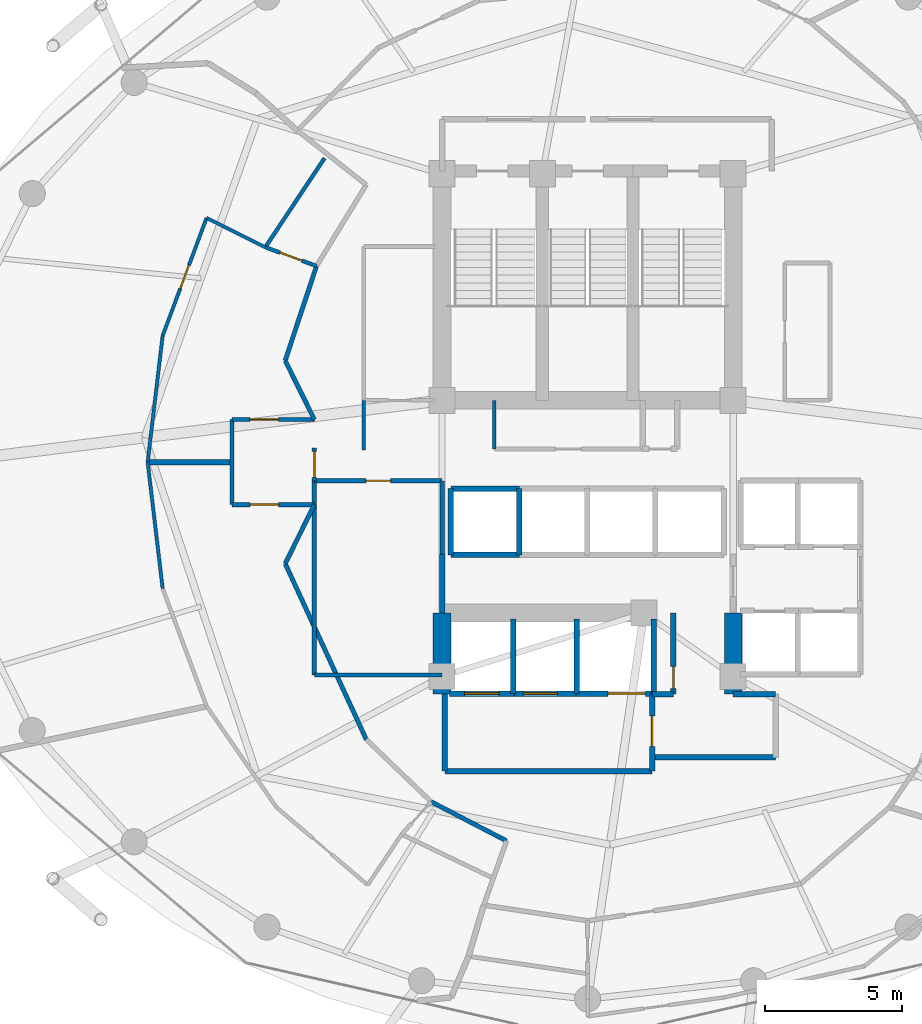
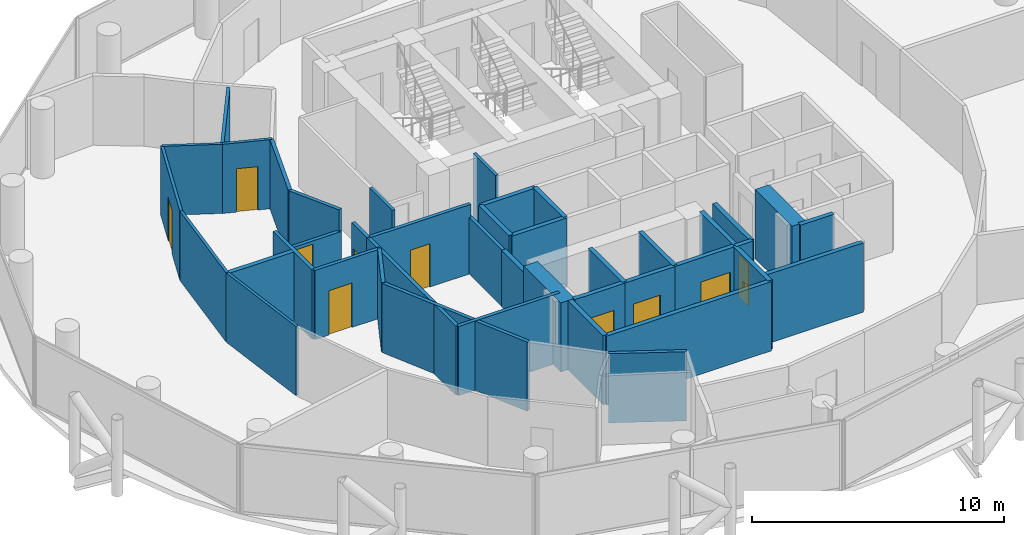
# One storey, part 22 of 26: 42 walls, 11 doors, 11 openings.
"""IFC4 building model written with IfcOpenShell, lengths in metres."""

from ifc_helpers import new_model, si_unit, direction, frame, frame_2d, origin, place, context, subcontext, project, spatial, rectangle, extrude, material, layer, layer_set, type_object, element, fill, save


model = new_model("IFC4")

# Units and contexts
model_context = context("Model", 3, precision=1e-05, world=origin(), true_north=direction((0.0, 1.0)))
body_context = subcontext(model_context, "Body", "Model", "MODEL_VIEW")
ifc_project = project(units=[si_unit("LENGTHUNIT", "METRE"), si_unit("AREAUNIT", "SQUARE_METRE"), si_unit("VOLUMEUNIT", "CUBIC_METRE"), si_unit("PLANEANGLEUNIT", "RADIAN"), si_unit("MASSUNIT", "GRAM", prefix="KILO")], contexts=[model_context])

# Site, building, storey
site_placement = place(None, origin())
site = spatial("IfcSite", under=ifc_project, at=site_placement, CompositionType="ELEMENT")
building_placement = place(site_placement, origin())
building = spatial("IfcBuilding", under=site, at=building_placement, Name="Nuhasar Tower", CompositionType="ELEMENT")
storey_placement = place(building_placement, frame((0.0, 0.0, 192.25)))
storey = spatial("IfcBuildingStorey", under=building, at=storey_placement, Name="L47", CompositionType="ELEMENT", Elevation=192.25)

# Walls
ifc_material_1 = material(Name="Concrete C65/80", Category="concrete")
ifc_layer_1 = layer(ifc_material_1, 0.64990234375)
ifc_layer_set_1 = layer_set([ifc_layer_1], Name="Concrete C65/80")
wall_type_1 = type_object("IfcWallType", Name="WL-CORE-650", PredefinedType="SHEAR", material=ifc_layer_set_1)
for number, where, z_axis, x_axis, name in (
    (1, (33.699951171875, 18.35009765625, 0.0), (0.0, 0.0, 1.0), (0.0, 1.0, 0.0), "L47 Core Shear Wall CW-SW CW-650"),
    (2, (44.300048828125, 18.35009765625, 0.0), (0.0, 0.0, 1.0), (0.0, 1.0, 0.0), "L47 Core Shear Wall CW-SE CW-650"),
):
    element("IfcWall", number, at=place(storey_placement, frame(where, z_axis=z_axis, x_axis=x_axis)), inside=storey, type_object=wall_type_1, Name=name, PredefinedType="SHEAR", context=body_context, shape_type="SweptSolid", body=[
        extrude(rectangle(XDim=2.949951171875, YDim=0.64990234375, at=frame_2d((1.47509765625, 0.0))), origin(), (0.0, 0.0, 1.0), 3.35009765625),
    ])
ifc_material_2 = material(Name="Gypsum Board", Category="gypsum")
ifc_layer_2 = layer(ifc_material_2, 0.159912109375)
ifc_layer_set_2 = layer_set([ifc_layer_2], Name="Gypsum Board")
wall_type_2 = type_object("IfcWallType", Name="WL-CORR-160", PredefinedType="PARTITIONING", material=ifc_layer_set_2)
wall_1_placement = place(storey_placement, frame((29.050048828125, 19.050048828125, 0.0), z_axis=(0.0, 0.0, 1.0), x_axis=(1.0, 0.0, 0.0)))
element("IfcWall", 3, at=wall_1_placement, inside=storey, type_object=wall_type_2, Name="L47 Interior Partition RECL-B1-S", PredefinedType="PARTITIONING", context=body_context, shape_type="SweptSolid", body=[
    extrude(rectangle(XDim=4.64990234375, YDim=0.159912109375, at=frame_2d((2.324951171875, 0.0))), origin(), (0.0, 0.0, 1.0), 3.35009765625),
])
wall_2_placement = place(storey_placement, frame((29.050048828125, 19.050048828125, 0.0), z_axis=(0.0, 0.0, 1.0), x_axis=(0.0, 1.0, 0.0)))
element("IfcWall", 4, at=wall_2_placement, inside=storey, type_object=wall_type_2, Name="L47 Interior Partition RECL-B1-W", PredefinedType="PARTITIONING", context=body_context, shape_type="SweptSolid", body=[
    extrude(rectangle(XDim=7.070068359375, YDim=0.159912109375, at=frame_2d((3.53515625, 0.0))), origin(), (0.0, 0.0, 1.0), 3.35009765625),
])
wall_3_placement = place(storey_placement, frame((33.699951171875, 23.449951171875, 0.0), z_axis=(0.0, 0.0, 1.0), x_axis=(0.0, 1.0, 0.0)))
element("IfcWall", 5, at=wall_3_placement, inside=storey, type_object=wall_type_2, Name="L47 Interior Partition RECL-B1-E", PredefinedType="PARTITIONING", context=body_context, shape_type="SweptSolid", body=[
    extrude(rectangle(XDim=2.670166015625, YDim=0.159912109375, at=frame_2d((1.3349609375, 0.0))), origin(), (0.0, 0.0, 1.0), 2.735107421875),
])

# Wall, opening, door
wall_4_placement = place(storey_placement, frame((33.699951171875, 26.1201171875, 0.0), z_axis=(0.0, 0.0, 1.0), x_axis=(-1.0, 0.0, 0.0)))
wall_4 = element("IfcWall", 6, at=wall_4_placement, inside=storey, type_object=wall_type_2, Name="L47 Interior Partition RECL-B1-N", PredefinedType="PARTITIONING", context=body_context, shape_type="SweptSolid", body=[
    extrude(rectangle(XDim=4.64990234375, YDim=0.159912109375, at=frame_2d((2.324951171875, 0.0))), origin(), (0.0, 0.0, 1.0), 3.35009765625),
])
opening_1_placement = place(wall_4_placement, frame((1.875, 0.0, 0.0)))
opening_1 = element("IfcOpeningElement", 7, at=opening_1_placement, cuts=wall_4, Name="Opening DR-01", PredefinedType="OPENING", context=body_context, shape_type="SweptSolid", body=[
    extrude(rectangle(XDim=0.89990234375, YDim=2.10009765625, at=frame_2d((0.449951171875, 1.050048828125))), frame((0.0, 0.08984375, 0.0), z_axis=(0.0, -1.0, 0.0), x_axis=(1.0, 0.0, 0.0)), (0.0, 0.0, 1.0), 0.179931640625),
])
ifc_material_3 = material(Name="Timber Oak", Category="wood")
door_type_1 = type_object("IfcDoorType", Name="DR-ROOM-900", OperationType="NOTDEFINED", PredefinedType="DOOR", material=ifc_material_3)
door_1_placement = place(opening_1_placement, origin())
door_1 = element("IfcDoor", 8, at=door_1_placement, inside=storey, type_object=door_type_1, Name="L47 Butler Store Door", OperationType="SINGLE_SWING_RIGHT", OverallHeight=2.10009765625, OverallWidth=0.89990234375, PredefinedType="DOOR", context=body_context, shape_type="SweptSolid", body=[
    extrude(rectangle(XDim=0.89990234375, YDim=2.10009765625, at=frame_2d((0.449951171875, 1.050048828125))), frame((0.0, 0.02490234375, 0.0), z_axis=(0.0, -1.0, 0.0), x_axis=(1.0, 0.0, 0.0)), (0.0, 0.0, 1.0), 0.050048828125),
])
fill(opening_1, door_1)

wall_5_placement = place(storey_placement, frame((29.050048828125, 26.1201171875, 0.0), z_axis=(0.0, 0.0, 1.0), x_axis=(0.0, 1.0, 0.0)))
wall_5 = element("IfcWall", 9, at=wall_5_placement, inside=storey, type_object=wall_type_2, Name="L47 Interior Partition WVEST-E", PredefinedType="PARTITIONING", context=body_context, shape_type="SweptSolid", body=[
    extrude(rectangle(XDim=1.199951171875, YDim=0.159912109375, at=frame_2d((0.60009765625, 0.0))), origin(), (0.0, 0.0, 1.0), 3.35009765625),
])
opening_2_placement = place(wall_5_placement, frame((0.125, 0.0, 0.0)))
opening_2 = element("IfcOpeningElement", 10, at=opening_2_placement, cuts=wall_5, Name="Opening DO-01", PredefinedType="OPENING", context=body_context, shape_type="SweptSolid", body=[
    extrude(rectangle(XDim=0.949951171875, YDim=2.14990234375, at=frame_2d((0.47509765625, 1.074951171875))), frame((0.0, 0.08984375, 0.0), z_axis=(0.0, -1.0, 0.0), x_axis=(1.0, 0.0, 0.0)), (0.0, 0.0, 1.0), 0.179931640625),
])
door_type_2 = type_object("IfcDoorType", Name="DR-OFFICE-FD30-950", OperationType="NOTDEFINED", PredefinedType="DOOR", material=ifc_material_3)
door_2_placement = place(opening_2_placement, origin())
door_2 = element("IfcDoor", 11, at=door_2_placement, inside=storey, type_object=door_type_2, Name="L47 West Arrival Foyer Core Door", OperationType="SINGLE_SWING_RIGHT", OverallHeight=2.14990234375, OverallWidth=0.949951171875, PredefinedType="DOOR", context=body_context, shape_type="SweptSolid", body=[
    extrude(rectangle(XDim=0.949951171875, YDim=2.14990234375, at=frame_2d((0.47509765625, 1.074951171875))), frame((0.0, 0.02490234375, 0.0), z_axis=(0.0, -1.0, 0.0), x_axis=(1.0, 0.0, 0.0)), (0.0, 0.0, 1.0), 0.050048828125),
])
fill(opening_2, door_2)

# Walls
wall_6_placement = place(storey_placement, frame((29.126953125, 33.93994140625, 0.0), z_axis=(0.0, 0.0, 1.0), x_axis=(-0.313985571683, -0.949427754374, 0.0)))
element("IfcWall", 12, at=wall_6_placement, inside=storey, type_object=wall_type_2, Name="L47 Interior Partition HWEST-CORE-N-20", PredefinedType="PARTITIONING", context=body_context, shape_type="SweptSolid", body=[
    extrude(rectangle(XDim=3.627197265625, YDim=0.159912109375, at=frame_2d((1.8134765625, 0.0))), origin(), (0.0, 0.0, 1.0), 3.35009765625),
])
wall_7_placement = place(storey_placement, frame((27.988037109375, 23.10400390625, 0.0), z_axis=(0.0, 0.0, 1.0), x_axis=(0.418656179426, -0.908144814128, 0.0)))
element("IfcWall", 13, at=wall_7_placement, inside=storey, type_object=wall_type_2, Name="L47 Interior Partition HWEST-CORE-S1-26", PredefinedType="PARTITIONING", context=body_context, shape_type="SweptSolid", body=[
    extrude(rectangle(XDim=7.048583984375, YDim=0.159912109375, at=frame_2d((3.5244140625, 0.0))), origin(), (0.0, 0.0, 1.0), 3.35009765625),
])
wall_8_placement = place(storey_placement, frame((33.300048828125, 14.43310546875, 0.0), z_axis=(0.0, 0.0, 1.0), x_axis=(0.887674575788, -0.460471331898, 0.0)))
element("IfcWall", 14, at=wall_8_placement, inside=storey, type_object=wall_type_2, Name="L47 Interior Partition HWEST-CORE-S2-32", PredefinedType="PARTITIONING", context=body_context, shape_type="SweptSolid", body=[
    extrude(rectangle(XDim=3.096923828125, YDim=0.159912109375, at=frame_2d((1.54833984375, 0.0))), origin(), (0.0, 0.0, 1.0), 3.35009765625),
])

# Wall, opening, door
wall_9_placement = place(storey_placement, frame((26.050048828125, 28.35009765625, 0.0), z_axis=(0.0, 0.0, 1.0), x_axis=(1.0, 0.0, 0.0)))
wall_9 = element("IfcWall", 15, at=wall_9_placement, inside=storey, type_object=wall_type_2, Name="L47 Interior Partition WVEST-N", PredefinedType="PARTITIONING", context=body_context, shape_type="SweptSolid", body=[
    extrude(rectangle(XDim=3.0, YDim=0.159912109375, at=frame_2d((1.5, 0.0))), origin(), (0.0, 0.0, 1.0), 2.31005859375),
])
opening_3_placement = place(wall_9_placement, frame((0.64990234375, 0.0, 0.0)))
opening_3 = element("IfcOpeningElement", 16, at=opening_3_placement, cuts=wall_9, Name="Opening DU-01", PredefinedType="OPENING", context=body_context, shape_type="SweptSolid", body=[
    extrude(rectangle(XDim=1.050048828125, YDim=2.14990234375, at=frame_2d((0.52490234375, 1.074951171875))), frame((0.0, 0.08984375, 0.0), z_axis=(0.0, -1.0, 0.0), x_axis=(1.0, 0.0, 0.0)), (0.0, 0.0, 1.0), 0.179931640625),
])
door_type_3 = type_object("IfcDoorType", Name="DR-SUITE-FD60-1050", OperationType="NOTDEFINED", PredefinedType="DOOR", material=ifc_material_3)
door_3_placement = place(opening_3_placement, origin())
door_3 = element("IfcDoor", 17, at=door_3_placement, inside=storey, type_object=door_type_3, Name="L47 North-West Sunset Suite Entrance", OperationType="SINGLE_SWING_LEFT", OverallHeight=2.14990234375, OverallWidth=1.050048828125, PredefinedType="DOOR", context=body_context, shape_type="SweptSolid", body=[
    extrude(rectangle(XDim=1.050048828125, YDim=2.14990234375, at=frame_2d((0.52490234375, 1.074951171875))), frame((0.0, 0.02490234375, 0.0), z_axis=(0.0, -1.0, 0.0), x_axis=(1.0, 0.0, 0.0)), (0.0, 0.0, 1.0), 0.050048828125),
])
fill(opening_3, door_3)

wall_10_placement = place(storey_placement, frame((26.050048828125, 25.25, 0.0), z_axis=(0.0, 0.0, 1.0), x_axis=(1.0, 0.0, 0.0)))
wall_10 = element("IfcWall", 18, at=wall_10_placement, inside=storey, type_object=wall_type_2, Name="L47 Interior Partition WVEST-S", PredefinedType="PARTITIONING", context=body_context, shape_type="SweptSolid", body=[
    extrude(rectangle(XDim=3.0, YDim=0.159912109375, at=frame_2d((1.5, 0.0))), origin(), (0.0, 0.0, 1.0), 3.35009765625),
])
opening_4_placement = place(wall_10_placement, frame((0.64990234375, 0.0, 0.0)))
opening_4 = element("IfcOpeningElement", 19, at=opening_4_placement, cuts=wall_10, Name="Opening DU-01", PredefinedType="OPENING", context=body_context, shape_type="SweptSolid", body=[
    extrude(rectangle(XDim=1.050048828125, YDim=2.14990234375, at=frame_2d((0.52490234375, 1.074951171875))), frame((0.0, 0.08984375, 0.0), z_axis=(0.0, -1.0, 0.0), x_axis=(1.0, 0.0, 0.0)), (0.0, 0.0, 1.0), 0.179931640625),
])
door_4_placement = place(opening_4_placement, origin())
door_4 = element("IfcDoor", 20, at=door_4_placement, inside=storey, type_object=door_type_3, Name="L47 South-West Presidential Suite Entrance", OperationType="SINGLE_SWING_LEFT", OverallHeight=2.14990234375, OverallWidth=1.050048828125, PredefinedType="DOOR", context=body_context, shape_type="SweptSolid", body=[
    extrude(rectangle(XDim=1.050048828125, YDim=2.14990234375, at=frame_2d((0.52490234375, 1.074951171875))), frame((0.0, 0.02490234375, 0.0), z_axis=(0.0, -1.0, 0.0), x_axis=(1.0, 0.0, 0.0)), (0.0, 0.0, 1.0), 0.050048828125),
])
fill(opening_4, door_4)

# Walls
wall_11_placement = place(storey_placement, frame((26.050048828125, 25.25, 0.0), z_axis=(0.0, 0.0, 1.0), x_axis=(0.0, 1.0, 0.0)))
element("IfcWall", 21, at=wall_11_placement, inside=storey, type_object=wall_type_2, Name="L47 Interior Partition WVEST-W", PredefinedType="PARTITIONING", context=body_context, shape_type="SweptSolid", body=[
    extrude(rectangle(XDim=3.10009765625, YDim=0.159912109375, at=frame_2d((1.550048828125, 0.0))), origin(), (0.0, 0.0, 1.0), 3.35009765625),
])
for number, where, z_axis, x_axis, name in (
    (22, (27.988037109375, 30.49609375, 0.0), (0.0, 0.0, 1.0), (0.443539160525, -0.896254993337, 0.0), "L47 Interior Partition WVEST-CN"),
    (23, (27.988037109375, 23.10400390625, 0.0), (0.0, 0.0, 1.0), (0.443539160525, 0.896254993337, 0.0), "L47 Interior Partition WVEST-CS"),
):
    element("IfcWall", number, at=place(storey_placement, frame(where, z_axis=z_axis, x_axis=x_axis)), inside=storey, type_object=wall_type_2, Name=name, PredefinedType="PARTITIONING", context=body_context, shape_type="SweptSolid", body=[
        extrude(rectangle(XDim=2.394287109375, YDim=0.159912109375, at=frame_2d((1.197265625, 0.0))), origin(), (0.0, 0.0, 1.0), 3.35009765625),
    ])
ifc_material_4 = material(Name="Concrete C45/55", Category="concrete")
ifc_layer_3 = layer(ifc_material_4, 0.199951171875)
ifc_layer_set_3 = layer_set([ifc_layer_3], Name="Concrete C45/55")
wall_type_3 = type_object("IfcWallType", Name="WL-LOBBY-200", PredefinedType="SOLIDWALL", material=ifc_layer_set_3)
wall_12_placement = place(storey_placement, frame((33.699951171875, 21.300048828125, 0.0), z_axis=(0.0, 0.0, 1.0), x_axis=(0.0, 1.0, 0.0)))
element("IfcWall", 24, at=wall_12_placement, inside=storey, type_object=wall_type_3, Name="L47 Interior Partition LLBH-W", PredefinedType="SOLIDWALL", context=body_context, shape_type="SweptSolid", body=[
    extrude(rectangle(XDim=2.14990234375, YDim=0.199951171875, at=frame_2d((1.074951171875, 0.0))), origin(), (0.0, 0.0, 1.0), 2.735107421875),
])
wall_13_placement = place(storey_placement, frame((33.800048828125, 15.550048828125, 0.0), z_axis=(0.0, 0.0, 1.0), x_axis=(1.0, 0.0, 0.0)))
element("IfcWall", 25, at=wall_13_placement, inside=storey, type_object=wall_type_3, Name="L47 Interior Partition FFL-S", PredefinedType="SOLIDWALL", context=body_context, shape_type="SweptSolid", body=[
    extrude(rectangle(XDim=7.550048828125, YDim=0.199951171875, at=frame_2d((3.77490234375, 0.0))), origin(), (0.0, 0.0, 1.0), 3.35009765625),
])
wall_14_placement = place(storey_placement, frame((33.800048828125, 15.550048828125, 0.0), z_axis=(0.0, 0.0, 1.0), x_axis=(0.0, 1.0, 0.0)))
element("IfcWall", 26, at=wall_14_placement, inside=storey, type_object=wall_type_3, Name="L47 Interior Partition FFL-W", PredefinedType="SOLIDWALL", context=body_context, shape_type="SweptSolid", body=[
    extrude(rectangle(XDim=2.800048828125, YDim=0.199951171875, at=frame_2d((1.39990234375, 0.0))), origin(), (0.0, 0.0, 1.0), 3.35009765625),
])

# Wall, opening, door
wall_15_placement = place(storey_placement, frame((41.35009765625, 15.550048828125, 0.0), z_axis=(0.0, 0.0, 1.0), x_axis=(0.0, 1.0, 0.0)))
wall_15 = element("IfcWall", 27, at=wall_15_placement, inside=storey, type_object=wall_type_3, Name="L47 Interior Partition FFL-E", PredefinedType="SOLIDWALL", context=body_context, shape_type="SweptSolid", body=[
    extrude(rectangle(XDim=2.800048828125, YDim=0.199951171875, at=frame_2d((1.39990234375, 0.0))), origin(), (0.0, 0.0, 1.0), 3.35009765625),
])
opening_5_placement = place(wall_15_placement, frame((0.89990234375, 0.0, 0.0)))
opening_5 = element("IfcOpeningElement", 28, at=opening_5_placement, cuts=wall_15, Name="Opening DS-02", PredefinedType="OPENING", context=body_context, shape_type="SweptSolid", body=[
    extrude(rectangle(XDim=1.10009765625, YDim=2.14990234375, at=frame_2d((0.550048828125, 1.074951171875))), frame((0.0, 0.10986328125, 0.0), z_axis=(0.0, -1.0, 0.0), x_axis=(1.0, 0.0, 0.0)), (0.0, 0.0, 1.0), 0.219970703125),
])
ifc_material_5 = material(Name="Steel S355", Category="steel")
door_type_4 = type_object("IfcDoorType", Name="DR-FFL-FD120-1100", OperationType="NOTDEFINED", PredefinedType="DOOR", material=ifc_material_5)
door_5_placement = place(opening_5_placement, origin())
door_5 = element("IfcDoor", 29, at=door_5_placement, inside=storey, type_object=door_type_4, Name="L47 Firefighting Lobby Door", OperationType="SINGLE_SWING_RIGHT", OverallHeight=2.14990234375, OverallWidth=1.10009765625, PredefinedType="DOOR", context=body_context, shape_type="SweptSolid", body=[
    extrude(rectangle(XDim=1.10009765625, YDim=2.14990234375, at=frame_2d((0.550048828125, 1.074951171875))), frame((0.0, 0.02490234375, 0.0), z_axis=(0.0, -1.0, 0.0), x_axis=(1.0, 0.0, 0.0)), (0.0, 0.0, 1.0), 0.050048828125),
])
fill(opening_5, door_5)

# Walls
wall_16_placement = place(storey_placement, frame((41.35009765625, 16.050048828125, 0.0), z_axis=(0.0, 0.0, 1.0), x_axis=(1.0, 0.0, 0.0)))
element("IfcWall", 30, at=wall_16_placement, inside=storey, type_object=wall_type_3, Name="L47 Interior Partition SVLV-S", PredefinedType="SOLIDWALL", context=body_context, shape_type="SweptSolid", body=[
    extrude(rectangle(XDim=4.5, YDim=0.199951171875, at=frame_2d((2.25, 0.0))), origin(), (0.0, 0.0, 1.0), 3.35009765625),
])
wall_17_placement = place(storey_placement, frame((44.300048828125, 18.35009765625, 0.0), z_axis=(0.0, 0.0, 1.0), x_axis=(1.0, 0.0, 0.0)))
element("IfcWall", 31, at=wall_17_placement, inside=storey, type_object=wall_type_3, Name="L47 Interior Partition SVLV-N", PredefinedType="SOLIDWALL", context=body_context, shape_type="SweptSolid", body=[
    extrude(rectangle(XDim=1.550048828125, YDim=0.199951171875, at=frame_2d((0.77490234375, 0.0))), origin(), (0.0, 0.0, 1.0), 3.35009765625),
])
ifc_layer_4 = layer(ifc_material_2, 0.125)
ifc_layer_set_4 = layer_set([ifc_layer_4], Name="Gypsum Board")
wall_type_4 = type_object("IfcWallType", Name="WL-PART-125", PredefinedType="PARTITIONING", material=ifc_layer_set_4)
wall_18_placement = place(storey_placement, frame((27.264892578125, 34.625, 0.0), z_axis=(0.0, 0.0, 1.0), x_axis=(-0.895182030291, 0.445700720937, 0.0)))
element("IfcWall", 32, at=wall_18_placement, inside=storey, type_object=wall_type_4, Name="L47 Interior Partition HWS1-S", PredefinedType="PARTITIONING", context=body_context, shape_type="SweptSolid", body=[
    extrude(rectangle(XDim=2.389404296875, YDim=0.125, at=frame_2d((1.19482421875, 0.0))), origin(), (0.0, 0.0, 1.0), 3.35009765625),
])

# Wall, opening, door
wall_19_placement = place(storey_placement, frame((25.1259765625, 35.68994140625, 0.0), z_axis=(0.0, 0.0, 1.0), x_axis=(-0.349620571525, -0.936891378958, 0.0)))
wall_19 = element("IfcWall", 33, at=wall_19_placement, inside=storey, type_object=wall_type_4, Name="L47 Interior Partition HWS1-ARC-20", PredefinedType="PARTITIONING", context=body_context, shape_type="SweptSolid", body=[
    extrude(rectangle(XDim=4.57666015625, YDim=0.125, at=frame_2d((2.288330078125, 0.0))), origin(), (0.0, 0.0, 1.0), 3.35009765625),
])
opening_6_placement = place(wall_19_placement, frame((1.837890625, 0.0, 0.0)))
opening_6 = element("IfcOpeningElement", 34, at=opening_6_placement, cuts=wall_19, Name="Opening DR-01", PredefinedType="OPENING", context=body_context, shape_type="SweptSolid", body=[
    extrude(rectangle(XDim=0.89990234375, YDim=2.10009765625, at=frame_2d((0.449951171875, 1.050048828125))), frame((0.0, 0.072509765625, 0.0), z_axis=(0.0, -1.0, 0.0), x_axis=(1.0, 0.0, 0.0)), (0.0, 0.0, 1.0), 0.14501953125),
])
door_6_placement = place(opening_6_placement, origin())
door_6 = element("IfcDoor", 35, at=door_6_placement, inside=storey, type_object=door_type_1, Name="L47 North-West Sunset Suite Bedroom Door", OperationType="SINGLE_SWING_RIGHT", OverallHeight=2.10009765625, OverallWidth=0.89990234375, PredefinedType="DOOR", context=body_context, shape_type="SweptSolid", body=[
    extrude(rectangle(XDim=0.89990234375, YDim=2.10009765625, at=frame_2d((0.449951171875, 1.050048828125))), frame((0.0, 0.02490234375, 0.0), z_axis=(0.0, -1.0, 0.0), x_axis=(1.0, 0.0, 0.0)), (0.0, 0.0, 1.0), 0.050048828125),
])
fill(opening_6, door_6)

# Walls
for number, where, z_axis, x_axis, name in (
    (36, (23.52587890625, 31.402099609375, 0.0), (0.0, 0.0, 1.0), (-0.117794846718, -0.993037951987, 0.0), "L47 Interior Partition HWS1-ARC-22"),
    (37, (22.97998046875, 26.800048828125, 0.0), (0.0, 0.0, 1.0), (0.117794846718, -0.993037951987, 0.0), "L47 Interior Partition HWS2-ARC-24"),
):
    element("IfcWall", number, at=place(storey_placement, frame(where, z_axis=z_axis, x_axis=x_axis)), inside=storey, type_object=wall_type_4, Name=name, PredefinedType="PARTITIONING", context=body_context, shape_type="SweptSolid", body=[
        extrude(rectangle(XDim=4.63427734375, YDim=0.125, at=frame_2d((2.317138671875, 0.0))), origin(), (0.0, 0.0, 1.0), 3.35009765625),
    ])
ifc_layer_5 = layer(ifc_material_4, 0.199951171875)
ifc_layer_set_5 = layer_set([ifc_layer_5], Name="Concrete C45/55")
wall_type_5 = type_object("IfcWallType", Name="WL-SHAFT-200", PredefinedType="SOLIDWALL", material=ifc_layer_set_5)
for number, where, z_axis, x_axis, name in (
    (38, (34.02001953125, 23.419921875, 0.0), (0.0, 0.0, 1.0), (1.0, 0.0, 0.0), "L47 Interior Partition SHF-PL-H01-S"),
    (39, (34.02001953125, 25.830078125, 0.0), (0.0, 0.0, 1.0), (1.0, 0.0, 0.0), "L47 Interior Partition SHF-PL-H01-N"),
):
    element("IfcWall", number, at=place(storey_placement, frame(where, z_axis=z_axis, x_axis=x_axis)), inside=storey, type_object=wall_type_5, Name=name, PredefinedType="SOLIDWALL", context=body_context, shape_type="SweptSolid", body=[
        extrude(rectangle(XDim=2.5, YDim=0.199951171875, at=frame_2d((1.25, 0.0))), origin(), (0.0, 0.0, 1.0), 3.35009765625),
    ])
for number, where, z_axis, x_axis, name in (
    (40, (34.02001953125, 23.419921875, 0.0), (0.0, 0.0, 1.0), (0.0, 1.0, 0.0), "L47 Interior Partition SHF-PL-H01-W"),
    (41, (36.510009765625, 23.419921875, 0.0), (0.0, 0.0, 1.0), (0.0, 1.0, 0.0), "L47 Interior Partition SHF-PL-H01-E"),
):
    element("IfcWall", number, at=place(storey_placement, frame(where, z_axis=z_axis, x_axis=x_axis)), inside=storey, type_object=wall_type_5, Name=name, PredefinedType="SOLIDWALL", context=body_context, shape_type="SweptSolid", body=[
        extrude(rectangle(XDim=2.41015625, YDim=0.199951171875, at=frame_2d((1.205078125, 0.0))), origin(), (0.0, 0.0, 1.0), 3.35009765625),
    ])

# Wall, opening, door
wall_20_placement = place(storey_placement, frame((33.969970703125, 18.3701171875, 0.0), z_axis=(0.0, 0.0, 1.0), x_axis=(1.0, 0.0, 0.0)))
wall_20 = element("IfcWall", 42, at=wall_20_placement, inside=storey, type_object=wall_type_5, Name="L47 Interior Partition SHF-FFL-01-S", PredefinedType="SOLIDWALL", context=body_context, shape_type="SweptSolid", body=[
    extrude(rectangle(XDim=2.360107421875, YDim=0.199951171875, at=frame_2d((1.18017578125, 0.0))), origin(), (0.0, 0.0, 1.0), 3.35009765625),
])
opening_7_placement = place(wall_20_placement, frame((0.554931640625, 0.0, 0.0)))
opening_7 = element("IfcOpeningElement", 43, at=opening_7_placement, cuts=wall_20, Name="Opening LD-F01", PredefinedType="OPENING", context=body_context, shape_type="SweptSolid", body=[
    extrude(rectangle(XDim=1.25, YDim=2.199951171875, at=frame_2d((0.625, 1.10009765625))), frame((0.0, 0.10986328125, 0.0), z_axis=(0.0, -1.0, 0.0), x_axis=(1.0, 0.0, 0.0)), (0.0, 0.0, 1.0), 0.219970703125),
])
ifc_material_6 = material(Name="Stainless Steel 316L", Category="steel")
door_type_5 = type_object("IfcDoorType", Name="LD-FFL-1250", OperationType="DOUBLE_DOOR_SLIDING", PredefinedType="DOOR", material=ifc_material_6)
door_7_placement = place(opening_7_placement, origin())
door_7 = element("IfcDoor", 44, at=door_7_placement, inside=storey, type_object=door_type_5, Name="L47 Lift Landing Door FFL-01", OperationType="DOUBLE_DOOR_SLIDING", OverallHeight=2.199951171875, OverallWidth=1.25, PredefinedType="DOOR", context=body_context, shape_type="SweptSolid", body=[
    extrude(rectangle(XDim=1.25, YDim=2.199951171875, at=frame_2d((0.625, 1.10009765625))), frame((0.0, 0.02490234375, 0.0), z_axis=(0.0, -1.0, 0.0), x_axis=(1.0, 0.0, 0.0)), (0.0, 0.0, 1.0), 0.050048828125),
])
fill(opening_7, door_7)

# Wall
wall_21_placement = place(storey_placement, frame((36.300048828125, 18.3701171875, 0.0), z_axis=(0.0, 0.0, 1.0), x_axis=(0.0, 1.0, 0.0)))
element("IfcWall", 45, at=wall_21_placement, inside=storey, type_object=wall_type_5, Name="L47 Interior Partition SHF-FFL-01-E", PredefinedType="SOLIDWALL", context=body_context, shape_type="SweptSolid", body=[
    extrude(rectangle(XDim=2.7099609375, YDim=0.199951171875, at=frame_2d((1.35498046875, 0.0))), origin(), (0.0, 0.0, 1.0), 3.35009765625),
])

# Wall, opening, door
wall_22_placement = place(storey_placement, frame((36.27001953125, 18.3701171875, 0.0), z_axis=(0.0, 0.0, 1.0), x_axis=(1.0, 0.0, 0.0)))
wall_22 = element("IfcWall", 46, at=wall_22_placement, inside=storey, type_object=wall_type_5, Name="L47 Interior Partition SHF-FFL-02-S", PredefinedType="SOLIDWALL", context=body_context, shape_type="SweptSolid", body=[
    extrude(rectangle(XDim=2.35986328125, YDim=0.199951171875, at=frame_2d((1.179931640625, 0.0))), origin(), (0.0, 0.0, 1.0), 3.35009765625),
])
opening_8_placement = place(wall_22_placement, frame((0.3798828125, 0.0, 0.0)))
opening_8 = element("IfcOpeningElement", 47, at=opening_8_placement, cuts=wall_22, Name="Opening LD-F02", PredefinedType="OPENING", context=body_context, shape_type="SweptSolid", body=[
    extrude(rectangle(XDim=1.25, YDim=2.199951171875, at=frame_2d((0.625, 1.10009765625))), frame((0.0, 0.10986328125, 0.0), z_axis=(0.0, -1.0, 0.0), x_axis=(1.0, 0.0, 0.0)), (0.0, 0.0, 1.0), 0.219970703125),
])
door_8_placement = place(opening_8_placement, origin())
door_8 = element("IfcDoor", 48, at=door_8_placement, inside=storey, type_object=door_type_5, Name="L47 Lift Landing Door FFL-02", OperationType="DOUBLE_DOOR_SLIDING", OverallHeight=2.199951171875, OverallWidth=1.25, PredefinedType="DOOR", context=body_context, shape_type="SweptSolid", body=[
    extrude(rectangle(XDim=1.25, YDim=2.199951171875, at=frame_2d((0.625, 1.10009765625))), frame((0.0, 0.02490234375, 0.0), z_axis=(0.0, -1.0, 0.0), x_axis=(1.0, 0.0, 0.0)), (0.0, 0.0, 1.0), 0.050048828125),
])
fill(opening_8, door_8)

# Wall
wall_23_placement = place(storey_placement, frame((38.60009765625, 18.3701171875, 0.0), z_axis=(0.0, 0.0, 1.0), x_axis=(0.0, 1.0, 0.0)))
element("IfcWall", 49, at=wall_23_placement, inside=storey, type_object=wall_type_5, Name="L47 Interior Partition SHF-FFL-02-E", PredefinedType="SOLIDWALL", context=body_context, shape_type="SweptSolid", body=[
    extrude(rectangle(XDim=2.7099609375, YDim=0.199951171875, at=frame_2d((1.35498046875, 0.0))), origin(), (0.0, 0.0, 1.0), 3.35009765625),
])

# Wall, opening, door
wall_24_placement = place(storey_placement, frame((38.570068359375, 18.3701171875, 0.0), z_axis=(0.0, 0.0, 1.0), x_axis=(1.0, 0.0, 0.0)))
wall_24 = element("IfcWall", 50, at=wall_24_placement, inside=storey, type_object=wall_type_5, Name="L47 Interior Partition SHF-SVL-01-S", PredefinedType="SOLIDWALL", context=body_context, shape_type="SweptSolid", body=[
    extrude(rectangle(XDim=2.829833984375, YDim=0.199951171875, at=frame_2d((1.4150390625, 0.0))), origin(), (0.0, 0.0, 1.0), 3.35009765625),
])
opening_9_placement = place(wall_24_placement, frame((1.179931640625, 0.0, 0.0)))
opening_9 = element("IfcOpeningElement", 51, at=opening_9_placement, cuts=wall_24, Name="Opening LD-S01", PredefinedType="OPENING", context=body_context, shape_type="SweptSolid", body=[
    extrude(rectangle(XDim=1.35009765625, YDim=2.179931640625, at=frame_2d((0.675048828125, 1.08984375))), frame((0.0, 0.10986328125, 0.0), z_axis=(0.0, -1.0, 0.0), x_axis=(1.0, 0.0, 0.0)), (0.0, 0.0, 1.0), 0.219970703125),
])
door_type_6 = type_object("IfcDoorType", Name="LD-SVL-1350", OperationType="DOUBLE_DOOR_SLIDING", PredefinedType="DOOR", material=ifc_material_6)
door_9_placement = place(opening_9_placement, origin())
door_9 = element("IfcDoor", 52, at=door_9_placement, inside=storey, type_object=door_type_6, Name="L47 Lift Landing Door SVL-01", OperationType="DOUBLE_DOOR_SLIDING", OverallHeight=2.179931640625, OverallWidth=1.35009765625, PredefinedType="DOOR", context=body_context, shape_type="SweptSolid", body=[
    extrude(rectangle(XDim=1.35009765625, YDim=2.179931640625, at=frame_2d((0.675048828125, 1.08984375))), frame((0.0, 0.02490234375, 0.0), z_axis=(0.0, -1.0, 0.0), x_axis=(1.0, 0.0, 0.0)), (0.0, 0.0, 1.0), 0.050048828125),
])
fill(opening_9, door_9)

# Wall
wall_25_placement = place(storey_placement, frame((41.39990234375, 18.3701171875, 0.0), z_axis=(0.0, 0.0, 1.0), x_axis=(0.0, 1.0, 0.0)))
element("IfcWall", 53, at=wall_25_placement, inside=storey, type_object=wall_type_5, Name="L47 Interior Partition SHF-SVL-01-E", PredefinedType="SOLIDWALL", context=body_context, shape_type="SweptSolid", body=[
    extrude(rectangle(XDim=2.7099609375, YDim=0.199951171875, at=frame_2d((1.35498046875, 0.0))), origin(), (0.0, 0.0, 1.0), 3.35009765625),
])

# Wall, opening, door
wall_26_placement = place(storey_placement, frame((42.1201171875, 18.35009765625, 0.0), z_axis=(0.0, 0.0, 1.0), x_axis=(0.0, 1.0, 0.0)))
wall_26 = element("IfcWall", 54, at=wall_26_placement, inside=storey, type_object=wall_type_5, Name="L47 Interior Partition RSR-E", PredefinedType="SOLIDWALL", context=body_context, shape_type="SweptSolid", body=[
    extrude(rectangle(XDim=2.949951171875, YDim=0.199951171875, at=frame_2d((1.47509765625, 0.0))), origin(), (0.0, 0.0, 1.0), 3.35009765625),
])
opening_10_placement = place(wall_26_placement, frame((0.199951171875, 0.0, 0.0)))
opening_10 = element("IfcOpeningElement", 55, at=opening_10_placement, cuts=wall_26, Name="Opening DM-01", PredefinedType="OPENING", context=body_context, shape_type="SweptSolid", body=[
    extrude(rectangle(XDim=0.800048828125, YDim=2.050048828125, at=frame_2d((0.39990234375, 1.02490234375))), frame((0.0, 0.10986328125, 0.0), z_axis=(0.0, -1.0, 0.0), x_axis=(1.0, 0.0, 0.0)), (0.0, 0.0, 1.0), 0.219970703125),
])
door_type_7 = type_object("IfcDoorType", Name="DR-RISER-FD60-800", OperationType="NOTDEFINED", PredefinedType="DOOR", material=ifc_material_5)
door_10_placement = place(opening_10_placement, origin())
door_10 = element("IfcDoor", 56, at=door_10_placement, inside=storey, type_object=door_type_7, Name="L47 MEP Riser Access Door", OperationType="SINGLE_SWING_LEFT", OverallHeight=2.050048828125, OverallWidth=0.800048828125, PredefinedType="DOOR", context=body_context, shape_type="SweptSolid", body=[
    extrude(rectangle(XDim=0.800048828125, YDim=2.050048828125, at=frame_2d((0.39990234375, 1.02490234375))), frame((0.0, 0.02490234375, 0.0), z_axis=(0.0, -1.0, 0.0), x_axis=(1.0, 0.0, 0.0)), (0.0, 0.0, 1.0), 0.050048828125),
])
fill(opening_10, door_10)

# Walls
wall_27_placement = place(storey_placement, frame((41.35009765625, 18.35009765625, 0.0), z_axis=(0.0, 0.0, 1.0), x_axis=(1.0, 0.0, 0.0)))
element("IfcWall", 57, at=wall_27_placement, inside=storey, type_object=wall_type_5, Name="L47 Interior Partition RSR-S", PredefinedType="SOLIDWALL", context=body_context, shape_type="SweptSolid", body=[
    extrude(rectangle(XDim=0.77001953125, YDim=0.199951171875, at=frame_2d((0.385009765625, 0.0))), origin(), (0.0, 0.0, 1.0), 3.35009765625),
])
ifc_material_7 = material(Name="Concrete C40/50 precast", Category="concrete")
ifc_layer_6 = layer(ifc_material_7, 0.199951171875)
ifc_layer_set_6 = layer_set([ifc_layer_6], Name="Concrete C40/50 precast")
wall_type_6 = type_object("IfcWallType", Name="WL-UNIT-200", PredefinedType="PARTITIONING", material=ifc_layer_set_6)
wall_28_placement = place(storey_placement, frame((26.050048828125, 26.800048828125, 0.0), z_axis=(0.0, 0.0, 1.0), x_axis=(-1.0, 0.0, 0.0)))
element("IfcWall", 58, at=wall_28_placement, inside=storey, type_object=wall_type_6, Name="L47 Interior Partition HWEST-DIV-IN", PredefinedType="PARTITIONING", context=body_context, shape_type="SweptSolid", body=[
    extrude(rectangle(XDim=3.070068359375, YDim=0.199951171875, at=frame_2d((1.53515625, 0.0))), origin(), (0.0, 0.0, 1.0), 3.35009765625),
])
ifc_layer_7 = layer(ifc_material_7, 0.139892578125)
ifc_layer_set_7 = layer_set([ifc_layer_7], Name="Concrete C40/50 precast")
wall_type_7 = type_object("IfcWallType", Name="WL-WET-140", PredefinedType="PARTITIONING", material=ifc_layer_set_7)
wall_29_placement = place(storey_placement, frame((35.60009765625, 27.280029296875, 0.0), z_axis=(0.0, 0.0, 1.0), x_axis=(0.0, 1.0, 0.0)))
element("IfcWall", 59, at=wall_29_placement, inside=storey, type_object=wall_type_7, Name="L47 Interior Partition CSVC-W", PredefinedType="PARTITIONING", context=body_context, shape_type="SweptSolid", body=[
    extrude(rectangle(XDim=1.77001953125, YDim=0.139892578125, at=frame_2d((0.885009765625, 0.0))), origin(), (0.0, 0.0, 1.0), 3.35009765625),
])
wall_30_placement = place(storey_placement, frame((30.85009765625, 27.239990234375, 0.0), z_axis=(0.0, 0.0, 1.0), x_axis=(0.0, 1.0, 0.0)))
element("IfcWall", 60, at=wall_30_placement, inside=storey, type_object=wall_type_7, Name="L47 Interior Partition K3-FOY-W", PredefinedType="PARTITIONING", context=body_context, shape_type="SweptSolid", body=[
    extrude(rectangle(XDim=1.81005859375, YDim=0.139892578125, at=frame_2d((0.905029296875, 0.0))), origin(), (0.0, 0.0, 1.0), 3.35009765625),
])

# Wall, opening, door
wall_31_placement = place(storey_placement, frame((27.264892578125, 34.625, 0.0), z_axis=(0.0, 0.0, 1.0), x_axis=(0.938500583084, -0.345277649945, 0.0)))
wall_31 = element("IfcWall", 61, at=wall_31_placement, inside=storey, type_object=wall_type_7, Name="L47 Interior Partition HBW1-S", PredefinedType="PARTITIONING", context=body_context, shape_type="SweptSolid", body=[
    extrude(rectangle(XDim=1.984130859375, YDim=0.139892578125, at=frame_2d((0.9921875, 0.0))), origin(), (0.0, 0.0, 1.0), 3.35009765625),
])
opening_11_placement = place(wall_31_placement, frame((0.56689453125, 0.0, 0.0)))
opening_11 = element("IfcOpeningElement", 62, at=opening_11_placement, cuts=wall_31, Name="Opening DB-01", PredefinedType="OPENING", context=body_context, shape_type="SweptSolid", body=[
    extrude(rectangle(XDim=0.85009765625, YDim=2.10009765625, at=frame_2d((0.425048828125, 1.050048828125))), frame((0.0, 0.080078125, 0.0), z_axis=(0.0, -1.0, 0.0), x_axis=(1.0, 0.0, 0.0)), (0.0, 0.0, 1.0), 0.159912109375),
])
door_type_8 = type_object("IfcDoorType", Name="DR-BATH-850", OperationType="NOTDEFINED", PredefinedType="DOOR", material=ifc_material_3)
door_11_placement = place(opening_11_placement, origin())
door_11 = element("IfcDoor", 63, at=door_11_placement, inside=storey, type_object=door_type_8, Name="L47 North-West Sunset Suite En-Suite Door", OperationType="SINGLE_SWING_LEFT", OverallHeight=2.10009765625, OverallWidth=0.85009765625, PredefinedType="DOOR", context=body_context, shape_type="SweptSolid", body=[
    extrude(rectangle(XDim=0.85009765625, YDim=2.10009765625, at=frame_2d((0.425048828125, 1.050048828125))), frame((0.0, 0.02490234375, 0.0), z_axis=(0.0, -1.0, 0.0), x_axis=(1.0, 0.0, 0.0)), (0.0, 0.0, 1.0), 0.050048828125),
])
fill(opening_11, door_11)

# Wall
wall_32_placement = place(storey_placement, frame((29.4189453125, 37.865966796875, 0.0), z_axis=(0.0, 0.0, 1.0), x_axis=(-0.553526949376, -0.832831265212, 0.0)))
element("IfcWall", 64, at=wall_32_placement, inside=storey, type_object=wall_type_7, Name="L47 Interior Partition HBW1-E", PredefinedType="PARTITIONING", context=body_context, shape_type="SweptSolid", body=[
    extrude(rectangle(XDim=3.8916015625, YDim=0.139892578125, at=frame_2d((1.94580078125, 0.0))), origin(), (0.0, 0.0, 1.0), 3.35009765625),
])

save(model, "model.ifc")
